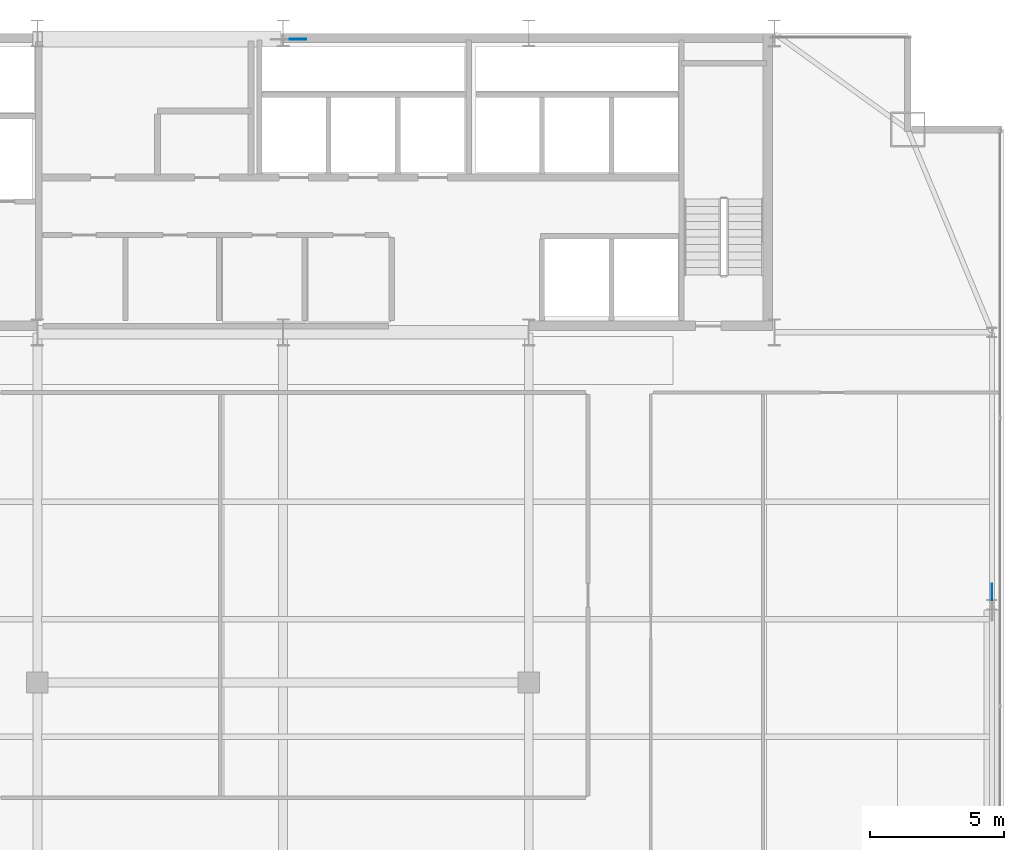
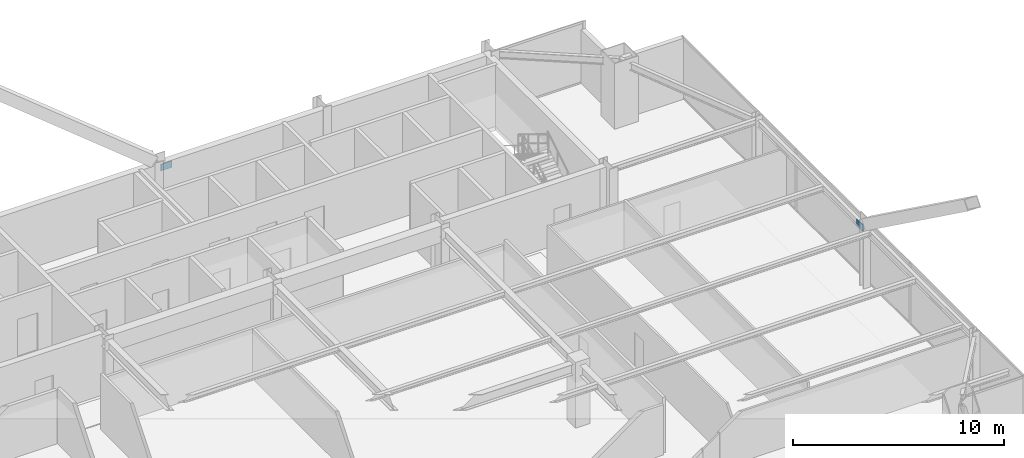
# One storey, part 25 of 30: 2 plates.
"""IFC4 building model written with IfcOpenShell, lengths in metres."""

from ifc_helpers import new_model, si_unit, direction, frame, origin, origin_2d, place, context, subcontext, project, spatial, rectangle, extrude, source, transform, mapped, material, layer, layer_set, type_object, type_shapes, element, save


model = new_model("IFC4")

# Units and contexts
model_context = context("Model", 3, precision=1e-05, world=origin(), true_north=direction((0.0, 1.0)))
body_context = subcontext(model_context, "Body", "Model", "MODEL_VIEW")
ifc_project = project(units=[si_unit("LENGTHUNIT", "METRE"), si_unit("AREAUNIT", "SQUARE_METRE"), si_unit("VOLUMEUNIT", "CUBIC_METRE"), si_unit("PLANEANGLEUNIT", "RADIAN"), si_unit("MASSUNIT", "GRAM", prefix="KILO")], contexts=[model_context])

# Site, building, storey
site_placement = place(None, origin())
site = spatial("IfcSite", under=ifc_project, at=site_placement, CompositionType="ELEMENT")
building_placement = place(site_placement, origin())
building = spatial("IfcBuilding", under=site, at=building_placement, Name="Varnel Quay Broadcast Tower", CompositionType="ELEMENT")
storey_placement = place(building_placement, frame((0.0, 0.0, 149.60009765625)))
storey = spatial("IfcBuildingStorey", under=building, at=storey_placement, Name="L36", CompositionType="ELEMENT", Elevation=149.60009765625)

# Plates
ifc_material = material(Name="Structural Steel CSA G40.21 350WT", Category="steel")
ifc_layer = layer(ifc_material, 0.031982421875, Name="Structural Steel CSA G40.21 350WT")
ifc_layer_set = layer_set([ifc_layer], Name="Structural Steel CSA G40.21 350WT")
plate_type = type_object("IfcPlateType", Name="Plate_EndCap", PredefinedType="USERDEFINED", material=ifc_layer_set)
shared_shape = source(origin(), body_context, "Body", "SweptSolid", [
    extrude(rectangle(XDim=0.6201171875, YDim=0.031982421875, at=origin_2d()), origin(), (0.0, 0.0, 1.0), 0.3798828125),
])
type_shapes(plate_type, [shared_shape])
for number, where, z_axis, x_axis, name in (
    (1, (34.552978515625, 46.580078125, 3.036865234375), (0.0, 0.0, 1.0), (1.0, 0.0, 0.0), "Zone 3 Mega-Brace N-CT1 Diag B1 End Connection Plate P1"),
    (2, (60.550048828125, 25.8837890625, 3.062255859375), (0.0, 0.0, 1.0), (0.0, 1.0, 0.0), "Zone 3 Mega-Brace E-FT1 Diag B1 End Connection Plate P1"),
):
    element("IfcPlate", number, at=place(storey_placement, frame(where, z_axis=z_axis, x_axis=x_axis)), inside=storey, type_object=plate_type, Name=name, ObjectType="CAP_PLATE", PredefinedType="USERDEFINED", context=body_context, shape_type="MappedRepresentation", body=[
        mapped(shared_shape, transform((0.0, 0.0, 0.0), x_axis=(1.0, 0.0, 0.0), y_axis=(0.0, 1.0, 0.0), z_axis=(0.0, 0.0, 1.0), scale=1.0)),
    ])

save(model, "model.ifc")
